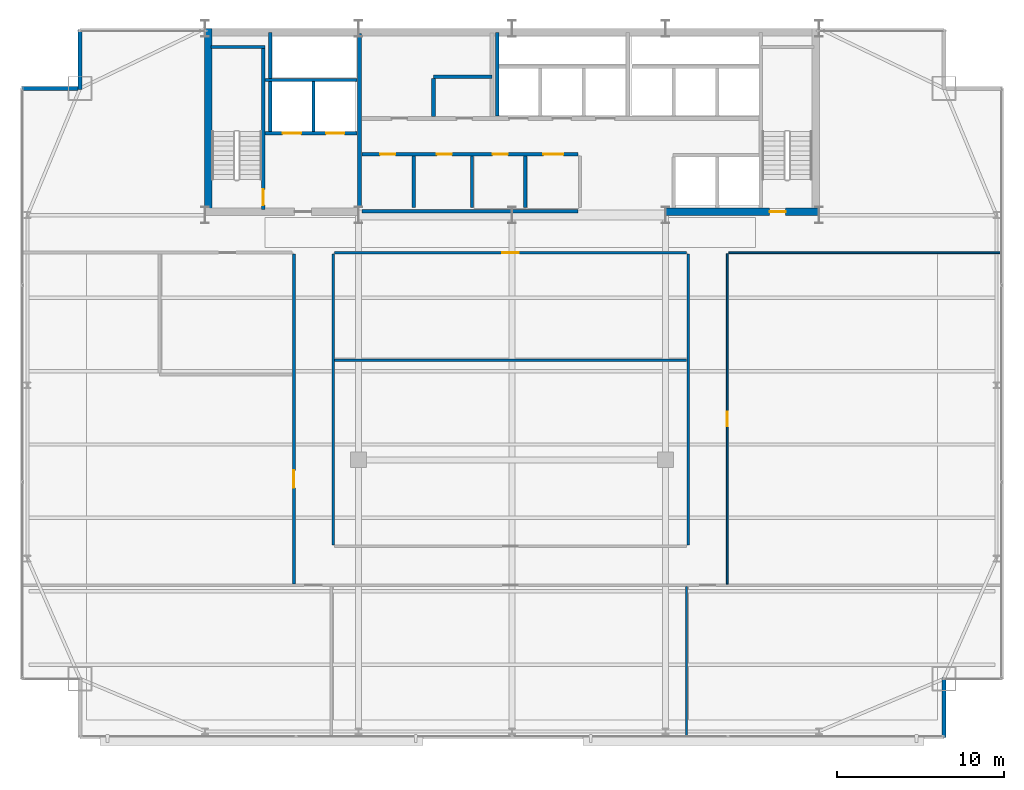
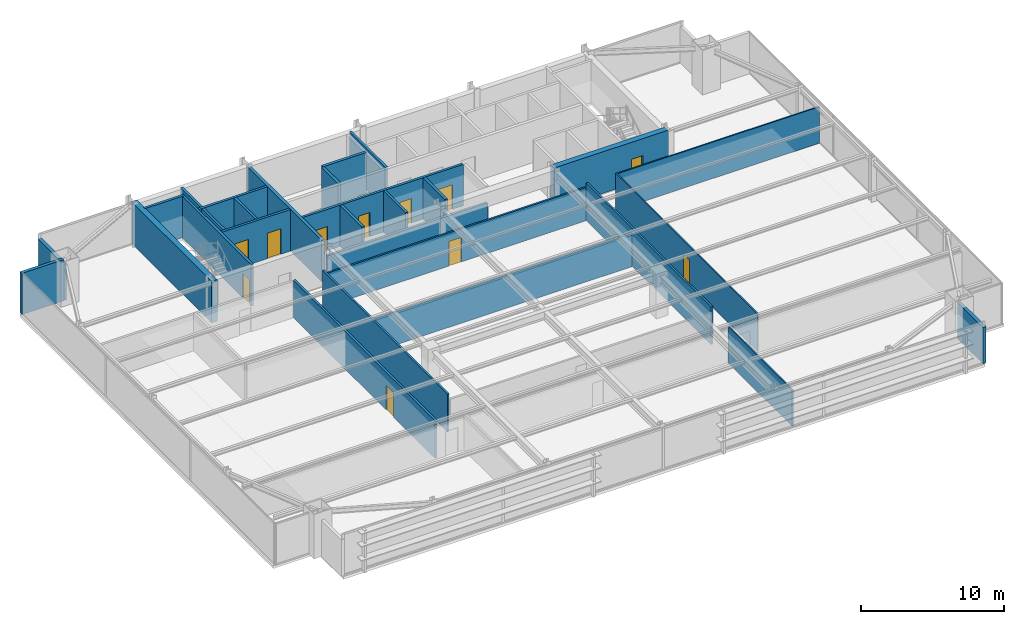
# One storey, part 27 of 30: 28 walls, 11 doors, 11 openings.
"""IFC4 building model written with IfcOpenShell, lengths in metres."""

import ifcopenshell
import ifcopenshell.guid

model = None  # the IFC model being written
_history = None  # IfcOwnerHistory: only IFC2X3 demands one
_inside = {}  # id of a spatial element -> (the spatial element, [elements in it])
_under = {}  # id of a project, library or spatial element -> (it, [spatial elements below it])
_declared = {}  # id of a project -> (the project, [libraries it declares])
_typed = {}  # id of a type object -> (the type object, [elements of that type])
_made_of = {}  # id of a material, layer set ... -> (it, [elements and type objects made of it])


def new_model(schema):
    """Start an empty IFC model of exactly this schema.

    Asked for "IFC4X3", IfcOpenShell would pick the latest addendum, in which some entities
    have other attributes; the version numbers below select the first issue.
    IFC2X3 requires an IfcOwnerHistory on every rooted entity: one is made here for all.
    """
    global model, _history
    if schema == "IFC4X3":
        model = ifcopenshell.file(schema_version=(4, 3, 0, 0))
    else:
        model = ifcopenshell.file(schema=schema)
    _inside.clear()
    _under.clear()
    _declared.clear()
    _typed.clear()
    _made_of.clear()
    _history = None
    if model.schema == "IFC2X3":
        org = make("IfcOrganization", Name="unknown")
        user = make(
            "IfcPersonAndOrganization",
            ThePerson=make("IfcPerson", FamilyName="unknown"),
            TheOrganization=org,
        )
        app = make(
            "IfcApplication",
            ApplicationDeveloper=org,
            Version="unknown",
            ApplicationFullName="unknown",
            ApplicationIdentifier="unknown",
        )
        _history = make(
            "IfcOwnerHistory",
            OwningUser=user,
            OwningApplication=app,
            ChangeAction="ADDED",
            CreationDate=0,
        )
    return model


def make(cls, **values):
    """One entity of the class cls with the attributes given. An attribute that is None is left unset."""
    return model.create_entity(
        cls, **{name: value for name, value in values.items() if value is not None}
    )


def rooted(cls, **values):
    """An entity with a GlobalId (a new one), such as an element, a storey or a relation."""
    return make(cls, GlobalId=ifcopenshell.guid.new(), OwnerHistory=_history, **values)


def si_unit(unit_type, name, prefix=None):
    """IfcSIUnit, for example si_unit("LENGTHUNIT", "METRE", prefix="MILLI")."""
    return make("IfcSIUnit", UnitType=unit_type, Prefix=prefix, Name=name)


def assignment(units):
    """IfcUnitAssignment: the units of a project."""
    return None if units is None else make("IfcUnitAssignment", Units=units)


def point(xyz):
    """IfcCartesianPoint."""
    return None if xyz is None else make("IfcCartesianPoint", Coordinates=xyz)


def direction(xyz):
    """IfcDirection."""
    return None if xyz is None else make("IfcDirection", DirectionRatios=xyz)


def frame(location, z_axis=None, x_axis=None):
    """IfcAxis2Placement3D, a coordinate frame: its origin and axes. An axis left out is left unset."""
    return make(
        "IfcAxis2Placement3D",
        Location=point(location),
        Axis=direction(z_axis),
        RefDirection=direction(x_axis),
    )


def frame_2d(location, x_axis=None):
    """IfcAxis2Placement2D, a coordinate frame in the plane: its origin and x axis."""
    return make(
        "IfcAxis2Placement2D", Location=point(location), RefDirection=direction(x_axis)
    )


def origin():
    """The frame at (0, 0, 0) with its axes left unset."""
    return frame((0.0, 0.0, 0.0))


def place(relative_to, where):
    """IfcLocalPlacement: puts the frame where relative to a parent placement (None: the world)."""
    return make(
        "IfcLocalPlacement", PlacementRelTo=relative_to, RelativePlacement=where
    )


def context(
    kind, dimensions, precision=None, world=None, true_north=None, identifier=None
):
    """IfcGeometricRepresentationContext, for example the 3D "Model" context."""
    return make(
        "IfcGeometricRepresentationContext",
        ContextIdentifier=identifier,
        ContextType=kind,
        CoordinateSpaceDimension=dimensions,
        Precision=precision,
        WorldCoordinateSystem=world,
        TrueNorth=true_north,
    )


def subcontext(parent, identifier, kind, view, scale=None):
    """IfcGeometricRepresentationSubContext, for example "Body" below "Model"."""
    return make(
        "IfcGeometricRepresentationSubContext",
        ContextIdentifier=identifier,
        ContextType=kind,
        ParentContext=parent,
        TargetScale=scale,
        TargetView=view,
    )


def project(units=None, contexts=None):
    """IfcProject with its units and contexts."""
    return rooted(
        "IfcProject",
        Name="project",
        RepresentationContexts=contexts,
        UnitsInContext=assignment(units),
    )


def spatial(cls, under=None, at=None, **own):
    """A site, building, storey or space (cls), placed at a placement, below another one or the project."""
    s = rooted(cls, ObjectPlacement=at, **own)
    if under is not None:
        _under.setdefault(under.id(), (under, []))[1].append(s)
    return s


def profile(cls, at=None, kind="AREA", **sizes):
    """A parametric profile (cls). Its sizes go by their IFC names, for example OverallWidth=200.0."""
    return make(cls, ProfileType=kind, Position=at, **sizes)


def rectangle(**sizes):
    """IfcRectangleProfileDef."""
    return profile("IfcRectangleProfileDef", **sizes)


def extrude(swept, where, along, depth):
    """IfcExtrudedAreaSolid: the profile swept, set in the frame where, extruded along a direction by depth."""
    return make(
        "IfcExtrudedAreaSolid",
        SweptArea=swept,
        Position=where,
        ExtrudedDirection=direction(along),
        Depth=depth,
    )


def shape(context_of_items, identifier, shape_type, items):
    """IfcShapeRepresentation: the items that make up one representation, for example the "Body"."""
    return make(
        "IfcShapeRepresentation",
        ContextOfItems=context_of_items,
        RepresentationIdentifier=identifier,
        RepresentationType=shape_type,
        Items=items,
    )


def source(mapping_origin, context_of_items, identifier, shape_type, items):
    """IfcRepresentationMap: a shape defined once, which mapped items show again and again."""
    return make(
        "IfcRepresentationMap",
        MappingOrigin=mapping_origin,
        MappedRepresentation=shape(context_of_items, identifier, shape_type, items),
    )


def transform(
    local_origin,
    x_axis=None,
    y_axis=None,
    z_axis=None,
    scale=None,
    scale2=None,
    scale3=None,
    uniform=True,
):
    """IfcCartesianTransformationOperator3D, or its non-uniform kind. x_axis, y_axis, z_axis: its Axis1, 2, 3."""
    if uniform:
        return make(
            "IfcCartesianTransformationOperator3D",
            Axis1=direction(x_axis),
            Axis2=direction(y_axis),
            LocalOrigin=point(local_origin),
            Scale=scale,
            Axis3=direction(z_axis),
        )
    return make(
        "IfcCartesianTransformationOperator3DnonUniform",
        Axis1=direction(x_axis),
        Axis2=direction(y_axis),
        LocalOrigin=point(local_origin),
        Scale=scale,
        Axis3=direction(z_axis),
        Scale2=scale2,
        Scale3=scale3,
    )


def mapped(mapping_source, mapping_target):
    """IfcMappedItem: shows the shape of a source again, moved by a transform."""
    return make(
        "IfcMappedItem", MappingSource=mapping_source, MappingTarget=mapping_target
    )


def material(Name=None, Category=None):
    """IfcMaterial."""
    return make("IfcMaterial", Name=Name, Category=Category)


def layer(
    of_material, thickness, ventilated=None, Name=None, Category=None, Priority=None
):
    """IfcMaterialLayer: one layer of a wall or slab, of a material (None: an air gap)."""
    return make(
        "IfcMaterialLayer",
        Material=of_material,
        LayerThickness=thickness,
        IsVentilated=ventilated,
        Name=Name,
        Category=Category,
        Priority=Priority,
    )


def layer_set(layers, Name=None):
    """IfcMaterialLayerSet."""
    return make("IfcMaterialLayerSet", MaterialLayers=layers, LayerSetName=Name)


def made_of(thing, what):
    """Note that an element or type object is made of a material, layer set ...; save() writes the relation."""
    if what is not None:
        _made_of.setdefault(what.id(), (what, []))[1].append(thing)
    return thing


def type_object(cls, material=None, **own):
    """A type object (cls), such as IfcWallType, which elements share."""
    return made_of(rooted(cls, **own), material)


def type_shapes(of_type, sources):
    """Give a type object the sources (RepresentationMaps) that its elements show as mapped items."""
    of_type.RepresentationMaps = sources


def element(
    cls,
    number,
    at=None,
    inside=None,
    cuts=None,
    type_object=None,
    material=None,
    context=None,
    identifier="Body",
    shape_type=None,
    held_by="IfcProductDefinitionShape",
    body=None,
    shapes=None,
    **own,
):
    """One element of the class cls, such as IfcWall. Its Tag is "e" and its number.

    at: its placement. inside: the storey or other place that contains it. cuts: it is an
    opening in that element (IfcRelVoidsElement). A single representation is given by context,
    identifier, shape_type and body (its items); several are given by shapes. held_by: the class
    of the entity that holds the representations. save() writes the other relations.
    """
    e = rooted(cls, Tag="e%d" % number, ObjectPlacement=at, **own)
    if body is not None:
        shapes = [shape(context, identifier, shape_type, body)]
    if shapes is not None:
        e.Representation = make(held_by, Representations=shapes)
    if inside is not None:
        _inside.setdefault(inside.id(), (inside, []))[1].append(e)
    if cuts is not None:
        rooted(
            "IfcRelVoidsElement", RelatingBuildingElement=cuts, RelatedOpeningElement=e
        )
    if type_object is not None:
        _typed.setdefault(type_object.id(), (type_object, []))[1].append(e)
    return made_of(e, material)


def fill(opening, filler):
    """IfcRelFillsElement: the door or window that sits in an opening."""
    return rooted(
        "IfcRelFillsElement",
        RelatingOpeningElement=opening,
        RelatedBuildingElement=filler,
    )


def aggregate(whole, parts):
    """IfcRelAggregates: a whole, such as a stair, and the parts it consists of."""
    return rooted("IfcRelAggregates", RelatingObject=whole, RelatedObjects=parts)


def save(model, path):
    """Write the relations noted so far, then the file.

    IfcRelAggregates (storeys below a building ...), IfcRelContainedInSpatialStructure (elements
    in a storey), IfcRelDefinesByType, IfcRelAssociatesMaterial and IfcRelDeclares: one each for
    every whole, place, type object, material and project.
    """
    for whole, parts in _under.values():
        aggregate(whole, parts)
    for where, things in _inside.values():
        rooted(
            "IfcRelContainedInSpatialStructure",
            RelatedElements=things,
            RelatingStructure=where,
        )
    for kind, things in _typed.values():
        rooted("IfcRelDefinesByType", RelatedObjects=things, RelatingType=kind)
    for what, things in _made_of.values():
        rooted("IfcRelAssociatesMaterial", RelatedObjects=things, RelatingMaterial=what)
    for by, libraries in _declared.values():
        rooted("IfcRelDeclares", RelatingContext=by, RelatedDefinitions=libraries)
    model.write(path)


model = new_model("IFC4")

# Units and contexts
model_context = context("Model", 3, precision=1e-05, world=origin(), true_north=direction((0.0, 1.0)))
body_context = subcontext(model_context, "Body", "Model", "MODEL_VIEW")
ifc_project = project(units=[si_unit("LENGTHUNIT", "METRE"), si_unit("AREAUNIT", "SQUARE_METRE"), si_unit("VOLUMEUNIT", "CUBIC_METRE"), si_unit("PLANEANGLEUNIT", "RADIAN"), si_unit("MASSUNIT", "GRAM", prefix="KILO")], contexts=[model_context])

# Site, building, storey
site_placement = place(None, origin())
site = spatial("IfcSite", under=ifc_project, at=site_placement, CompositionType="ELEMENT")
building_placement = place(site_placement, origin())
building = spatial("IfcBuilding", under=site, at=building_placement, Name="Varnel Quay Broadcast Tower", CompositionType="ELEMENT")
storey_placement = place(building_placement, frame((0.0, 0.0, 122.0)))
storey = spatial("IfcBuildingStorey", under=building, at=storey_placement, Name="L29", CompositionType="ELEMENT", Elevation=122.0)

# Wall, opening, door
ifc_material_1 = material(Name="Concrete CSA A23.3 C50/60", Category="concrete")
ifc_layer_1 = layer(ifc_material_1, 0.199951171875, Name="Concrete CSA A23.3 C50/60")
ifc_layer_set_1 = layer_set([ifc_layer_1], Name="Concrete CSA A23.3 C50/60")
wall_type_1 = type_object("IfcWallType", Name="Wall_CoreShaftShear200", PredefinedType="SHEAR", material=ifc_layer_set_1)
wall_1_placement = place(storey_placement, frame((19.080078125, 35.949951171875, 0.0), z_axis=(0.0, 0.0, 1.0), x_axis=(0.0, 1.0, 0.0)))
wall_1 = element("IfcWall", 1, at=wall_1_placement, inside=storey, type_object=wall_type_1, Name="L29 Stair 1 East Structural Wall", PredefinedType="SHEAR", context=body_context, shape_type="SweptSolid", body=[
    extrude(rectangle(XDim=9.650146484375, YDim=0.199951171875, at=frame_2d((4.8251953125, 0.0))), origin(), (0.0, 0.0, 1.0), 3.550048828125),
])
opening_1_placement = place(wall_1_placement, frame((0.25, 0.0, 0.0)))
opening_1 = element("IfcOpeningElement", 2, at=opening_1_placement, cuts=wall_1, Name="Opening D-L29-S1", PredefinedType="OPENING", context=body_context, shape_type="SweptSolid", body=[
    extrude(rectangle(XDim=0.949951171875, YDim=2.10009765625, at=frame_2d((0.47509765625, 1.050048828125))), frame((0.0, 0.10986328125, 0.0), z_axis=(0.0, -1.0, 0.0), x_axis=(1.0, 0.0, 0.0)), (0.0, 0.0, 1.0), 0.219970703125),
])
ifc_material_2 = material(Name="Insulated Fire-Rated Hollow Steel Door", Category="steel")
door_type_1 = type_object("IfcDoorType", Name="Door_FireStair950", OperationType="NOTDEFINED", PredefinedType="DOOR", material=ifc_material_2)
shared_shape_1 = source(origin(), body_context, "Body", "SweptSolid", [
    extrude(rectangle(XDim=0.949951171875, YDim=2.10009765625, at=frame_2d((0.47509765625, 1.050048828125))), frame((0.0, 0.02490234375, 0.0), z_axis=(0.0, -1.0, 0.0), x_axis=(1.0, 0.0, 0.0)), (0.0, 0.0, 1.0), 0.050048828125),
])
type_shapes(door_type_1, [shared_shape_1])
door_1_placement = place(opening_1_placement, origin())
door_1 = element("IfcDoor", 3, at=door_1_placement, inside=storey, type_object=door_type_1, Name="L29 Stair 1 Fire Door", OperationType="SINGLE_SWING_LEFT", OverallHeight=2.10009765625, OverallWidth=0.949951171875, PredefinedType="DOOR", context=body_context, shape_type="MappedRepresentation", body=[
    mapped(shared_shape_1, transform((0.0, 0.0, 0.0), x_axis=(1.0, 0.0, 0.0), y_axis=(0.0, 1.0, 0.0), z_axis=(0.0, 0.0, 1.0), scale=1.0)),
])
fill(opening_1, door_1)

# Wall
wall_2_placement = place(storey_placement, frame((15.949951171875, 45.679931640625, 0.0), z_axis=(0.0, 0.0, 1.0), x_axis=(1.0, 0.0, 0.0)))
element("IfcWall", 4, at=wall_2_placement, inside=storey, type_object=wall_type_1, Name="L29 Stair 1 North Structural Wall", PredefinedType="SHEAR", context=body_context, shape_type="SweptSolid", body=[
    extrude(rectangle(XDim=3.22998046875, YDim=0.199951171875, at=frame_2d((1.614990234375, 0.0))), origin(), (0.0, 0.0, 1.0), 3.550048828125),
])

# Wall, openings, doors
wall_3_placement = place(storey_placement, frame((19.199951171875, 40.5, 0.0), z_axis=(0.0, 0.0, 1.0), x_axis=(1.0, 0.0, 0.0)))
wall_3 = element("IfcWall", 5, at=wall_3_placement, inside=storey, type_object=wall_type_1, Name="L29 Firefighter Lift Shaft Front Wall", PredefinedType="SHEAR", context=body_context, shape_type="SweptSolid", body=[
    extrude(rectangle(XDim=5.52001953125, YDim=0.199951171875, at=frame_2d((2.760009765625, 0.0))), origin(), (0.0, 0.0, 1.0), 3.550048828125),
])
opening_2_placement = place(wall_3_placement, frame((1.050048828125, 0.0, 0.0)))
opening_2 = element("IfcOpeningElement", 6, at=opening_2_placement, cuts=wall_3, Name="Opening LD-L29-FE1", PredefinedType="OPENING", context=body_context, shape_type="SweptSolid", body=[
    extrude(rectangle(XDim=1.10009765625, YDim=2.179931640625, at=frame_2d((0.550048828125, 1.08984375))), frame((0.0, 0.10986328125, 0.0), z_axis=(0.0, -1.0, 0.0), x_axis=(1.0, 0.0, 0.0)), (0.0, 0.0, 1.0), 0.219970703125),
])
opening_3_placement = place(wall_3_placement, frame((3.64990234375, 0.0, 0.0)))
opening_3 = element("IfcOpeningElement", 7, at=opening_3_placement, cuts=wall_3, Name="Opening LD-L29-FE2", PredefinedType="OPENING", context=body_context, shape_type="SweptSolid", body=[
    extrude(rectangle(XDim=1.10009765625, YDim=2.179931640625, at=frame_2d((0.550048828125, 1.08984375))), frame((0.0, 0.10986328125, 0.0), z_axis=(0.0, -1.0, 0.0), x_axis=(1.0, 0.0, 0.0)), (0.0, 0.0, 1.0), 0.219970703125),
])
ifc_material_3 = material(Name="Brushed Bronze-Stainless Lift Car & Sliding Doors", Category="steel")
door_type_2 = type_object("IfcDoorType", Name="Door_LiftLanding1100", OperationType="SLIDING_TO_LEFT", PredefinedType="DOOR", material=ifc_material_3)
shared_shape_2 = source(origin(), body_context, "Body", "SweptSolid", [
    extrude(rectangle(XDim=1.10009765625, YDim=2.179931640625, at=frame_2d((0.550048828125, 1.08984375))), frame((0.0, 0.02490234375, 0.0), z_axis=(0.0, -1.0, 0.0), x_axis=(1.0, 0.0, 0.0)), (0.0, 0.0, 1.0), 0.050048828125),
])
type_shapes(door_type_2, [shared_shape_2])
door_2_placement = place(opening_2_placement, frame((1.10009765625, 0.0, 0.0), z_axis=(0.0, 0.0, 1.0), x_axis=(-1.0, 0.0, 0.0)))
door_2 = element("IfcDoor", 8, at=door_2_placement, inside=storey, type_object=door_type_2, Name="L29 Firefighter Lift FE-01 Landing Door", OperationType="SLIDING_TO_LEFT", OverallHeight=2.179931640625, OverallWidth=1.10009765625, PredefinedType="DOOR", context=body_context, shape_type="MappedRepresentation", body=[
    mapped(shared_shape_2, transform((0.0, 0.0, 0.0), x_axis=(1.0, 0.0, 0.0), y_axis=(0.0, 1.0, 0.0), z_axis=(0.0, 0.0, 1.0), scale=1.0)),
])
fill(opening_2, door_2)
door_3_placement = place(opening_3_placement, frame((1.10009765625, 0.0, 0.0), z_axis=(0.0, 0.0, 1.0), x_axis=(-1.0, 0.0, 0.0)))
door_3 = element("IfcDoor", 9, at=door_3_placement, inside=storey, type_object=door_type_2, Name="L29 Firefighter Lift FE-02 Landing Door", OperationType="SLIDING_TO_RIGHT", OverallHeight=2.179931640625, OverallWidth=1.10009765625, PredefinedType="DOOR", context=body_context, shape_type="MappedRepresentation", body=[
    mapped(shared_shape_2, transform((0.0, 0.0, 0.0), x_axis=(1.0, 0.0, 0.0), y_axis=(0.0, 1.0, 0.0), z_axis=(0.0, 0.0, 1.0), scale=1.0)),
])
fill(opening_3, door_3)

# Walls
wall_4_placement = place(storey_placement, frame((19.199951171875, 43.699951171875, 0.0), z_axis=(0.0, 0.0, 1.0), x_axis=(1.0, 0.0, 0.0)))
element("IfcWall", 10, at=wall_4_placement, inside=storey, type_object=wall_type_1, Name="L29 Firefighter Lift Shaft Rear Wall", PredefinedType="SHEAR", context=body_context, shape_type="SweptSolid", body=[
    extrude(rectangle(XDim=5.52001953125, YDim=0.199951171875, at=frame_2d((2.760009765625, 0.0))), origin(), (0.0, 0.0, 1.0), 3.550048828125),
])
wall_5_placement = place(storey_placement, frame((22.10009765625, 40.60009765625, 0.0), z_axis=(0.0, 0.0, 1.0), x_axis=(0.0, 1.0, 0.0)))
element("IfcWall", 11, at=wall_5_placement, inside=storey, type_object=wall_type_1, Name="L29 Firefighter Lift Shaft Divider", PredefinedType="SHEAR", context=body_context, shape_type="SweptSolid", body=[
    extrude(rectangle(XDim=3.0, YDim=0.199951171875, at=frame_2d((1.5, 0.0))), origin(), (0.0, 0.0, 1.0), 3.550048828125),
])
wall_6_placement = place(storey_placement, frame((19.5, 40.60009765625, 0.0), z_axis=(0.0, 0.0, 1.0), x_axis=(0.0, 1.0, 0.0)))
element("IfcWall", 12, at=wall_6_placement, inside=storey, type_object=wall_type_1, Name="L29 Firefighter Lift Shaft West Wall", PredefinedType="SHEAR", context=body_context, shape_type="SweptSolid", body=[
    extrude(rectangle(XDim=5.949951171875, YDim=0.199951171875, at=frame_2d((2.97509765625, 0.0))), origin(), (0.0, 0.0, 1.0), 3.550048828125),
])
wall_7_placement = place(storey_placement, frame((33.1201171875, 41.530029296875, 0.0), z_axis=(0.0, 0.0, 1.0), x_axis=(0.0, 1.0, 0.0)))
element("IfcWall", 13, at=wall_7_placement, inside=storey, type_object=wall_type_1, Name="L29 Mid-Rise Lift Shaft Divider 1", PredefinedType="SHEAR", context=body_context, shape_type="SweptSolid", body=[
    extrude(rectangle(XDim=5.02001953125, YDim=0.199951171875, at=frame_2d((2.510009765625, 0.0))), origin(), (0.0, 0.0, 1.0), 3.550048828125),
])
ifc_layer_2 = layer(ifc_material_1, 0.25, Name="Concrete CSA A23.3 C50/60")
ifc_layer_set_2 = layer_set([ifc_layer_2], Name="Concrete CSA A23.3 C50/60")
wall_type_2 = type_object("IfcWallType", Name="Wall_CoreShaftShear250", PredefinedType="SHEAR", material=ifc_layer_set_2)
wall_8_placement = place(storey_placement, frame((24.85009765625, 36.050048828125, 0.0), z_axis=(0.0, 0.0, 1.0), x_axis=(0.0, 1.0, 0.0)))
element("IfcWall", 14, at=wall_8_placement, inside=storey, type_object=wall_type_2, Name="L29 Firefighting Lobby East Structural Wall", PredefinedType="SHEAR", context=body_context, shape_type="SweptSolid", body=[
    extrude(rectangle(XDim=10.449951171875, YDim=0.25, at=frame_2d((5.22509765625, 0.0))), origin(), (0.0, 0.0, 1.0), 3.550048828125),
])
ifc_material_4 = material(Name="Concrete CSA A23.3 C60/75", Category="concrete")
ifc_layer_3 = layer(ifc_material_4, 0.449951171875, Name="Concrete CSA A23.3 C60/75")
ifc_layer_set_3 = layer_set([ifc_layer_3], Name="Concrete CSA A23.3 C60/75")
wall_type_3 = type_object("IfcWallType", Name="Wall_CoreShearInt450", PredefinedType="SHEAR", material=ifc_layer_set_3)
wall_9_placement = place(storey_placement, frame((15.794921875, 35.570068359375, 0.0), z_axis=(0.0, 0.0, 1.0), x_axis=(0.0, 1.0, 0.0)))
element("IfcWall", 15, at=wall_9_placement, inside=storey, type_object=wall_type_3, Name="L29 West Core Shear Wall", PredefinedType="SHEAR", context=body_context, shape_type="SweptSolid", body=[
    extrude(rectangle(XDim=11.22998046875, YDim=0.449951171875, at=frame_2d((5.614990234375, 0.0))), origin(), (0.0, 0.0, 1.0), 3.550048828125),
])

# Wall, opening, door
wall_10_placement = place(storey_placement, frame((43.199951171875, 35.794921875, 0.0), z_axis=(0.0, 0.0, 1.0), x_axis=(1.0, 0.0, 0.0)))
wall_10 = element("IfcWall", 16, at=wall_10_placement, inside=storey, type_object=wall_type_3, Name="L29 South-East Core Shear Wall", PredefinedType="SHEAR", context=body_context, shape_type="SweptSolid", body=[
    extrude(rectangle(XDim=9.22998046875, YDim=0.449951171875, at=frame_2d((4.614990234375, 0.0))), origin(), (0.0, 0.0, 1.0), 3.550048828125),
])
opening_4_placement = place(wall_10_placement, frame((6.25, 0.0, 0.0)))
opening_4 = element("IfcOpeningElement", 17, at=opening_4_placement, cuts=wall_10, Name="Opening D-L29-S2", PredefinedType="OPENING", context=body_context, shape_type="SweptSolid", body=[
    extrude(rectangle(XDim=0.949951171875, YDim=2.10009765625, at=frame_2d((0.47509765625, 1.050048828125))), frame((0.0, 0.23486328125, 0.0), z_axis=(0.0, -1.0, 0.0), x_axis=(1.0, 0.0, 0.0)), (0.0, 0.0, 1.0), 0.469970703125),
])
door_4_placement = place(opening_4_placement, origin())
door_4 = element("IfcDoor", 18, at=door_4_placement, inside=storey, type_object=door_type_1, Name="L29 Stair 2 Fire Door", OperationType="SINGLE_SWING_LEFT", OverallHeight=2.10009765625, OverallWidth=0.949951171875, PredefinedType="DOOR", context=body_context, shape_type="MappedRepresentation", body=[
    mapped(shared_shape_1, transform((0.0, 0.0, 0.0), x_axis=(1.0, 0.0, 0.0), y_axis=(0.0, 1.0, 0.0), z_axis=(0.0, 0.0, 1.0), scale=1.0)),
])
fill(opening_4, door_4)

# Walls
ifc_material_5 = material(Name="Precast Architectural Concrete C40/50", Category="concrete")
ifc_layer_4 = layer(ifc_material_5, 0.25, Name="Precast Architectural Concrete C40/50")
ifc_layer_set_4 = layer_set([ifc_layer_4], Name="Precast Architectural Concrete C40/50")
wall_type_4 = type_object("IfcWallType", Name="Wall_ExtTerrace250", PredefinedType="SOLIDWALL", material=ifc_layer_set_4)
wall_11_placement = place(storey_placement, frame((59.89990234375, 4.280029296875, 0.0), z_axis=(0.0, 0.0, 1.0), x_axis=(0.0, 1.0, 0.0)))
element("IfcWall", 19, at=wall_11_placement, inside=storey, type_object=wall_type_4, Name="L29 Mega-Column Notch Cladding Wall NSE2", PredefinedType="SOLIDWALL", context=body_context, shape_type="SweptSolid", body=[
    extrude(rectangle(XDim=3.599853515625, YDim=0.25, at=frame_2d((1.7998046875, 0.0))), origin(), (0.0, 0.0, 1.0), 3.10791015625),
])
wall_12_placement = place(storey_placement, frame((4.580078125, 43.199951171875, 0.0), z_axis=(0.0, 0.0, 1.0), x_axis=(1.0, 0.0, 0.0)))
element("IfcWall", 20, at=wall_12_placement, inside=storey, type_object=wall_type_4, Name="L29 Mega-Column Notch Cladding Wall NNW1", PredefinedType="SOLIDWALL", context=body_context, shape_type="SweptSolid", body=[
    extrude(rectangle(XDim=3.389892578125, YDim=0.25, at=frame_2d((1.69482421875, 0.0))), origin(), (0.0, 0.0, 1.0), 3.530029296875),
])
wall_13_placement = place(storey_placement, frame((8.10009765625, 43.1201171875, 0.0), z_axis=(0.0, 0.0, 1.0), x_axis=(0.0, 1.0, 0.0)))
element("IfcWall", 21, at=wall_13_placement, inside=storey, type_object=wall_type_4, Name="L29 Mega-Column Notch Cladding Wall NNW2", PredefinedType="SOLIDWALL", context=body_context, shape_type="SweptSolid", body=[
    extrude(rectangle(XDim=3.599853515625, YDim=0.25, at=frame_2d((1.7998046875, 0.0))), origin(), (0.0, 0.0, 1.0), 3.10791015625),
])
ifc_material_6 = material(Name="Concrete Blockwork Fire Enclosure C40/50", Category="masonry")
ifc_layer_5 = layer(ifc_material_6, 0.199951171875, Name="Concrete Blockwork Fire Enclosure C40/50")
ifc_layer_set_5 = layer_set([ifc_layer_5], Name="Concrete Blockwork Fire Enclosure C40/50")
wall_type_5 = type_object("IfcWallType", Name="Wall_FireShaft200", PredefinedType="SOLIDWALL", material=ifc_layer_set_5)
wall_14_placement = place(storey_placement, frame((25.0, 35.824951171875, 0.0), z_axis=(0.0, 0.0, 1.0), x_axis=(1.0, 0.0, 0.0)))
element("IfcWall", 22, at=wall_14_placement, inside=storey, type_object=wall_type_5, Name="L29 Accessible Universal Washroom Partition 1", PredefinedType="SOLIDWALL", context=body_context, shape_type="SweptSolid", body=[
    extrude(rectangle(XDim=12.949951171875, YDim=0.199951171875, at=frame_2d((6.47509765625, 0.0))), origin(), (0.0, 0.0, 1.0), 2.324951171875),
])

# Wall, openings, doors
wall_15_placement = place(storey_placement, frame((25.0, 39.25, 0.0), z_axis=(0.0, 0.0, 1.0), x_axis=(1.0, 0.0, 0.0)))
wall_15 = element("IfcWall", 23, at=wall_15_placement, inside=storey, type_object=wall_type_5, Name="L29 Accessible Universal Washroom Partition 3", PredefinedType="SOLIDWALL", context=body_context, shape_type="SweptSolid", body=[
    extrude(rectangle(XDim=12.949951171875, YDim=0.199951171875, at=frame_2d((6.47509765625, 0.0))), origin(), (0.0, 0.0, 1.0), 3.530029296875),
])
opening_5_placement = place(wall_15_placement, frame((1.10009765625, 0.0, 0.0)))
opening_5 = element("IfcOpeningElement", 24, at=opening_5_placement, cuts=wall_15, Name="Opening D-L29-01", PredefinedType="OPENING", context=body_context, shape_type="SweptSolid", body=[
    extrude(rectangle(XDim=0.89990234375, YDim=2.06005859375, at=frame_2d((0.449951171875, 1.030029296875))), frame((0.0, 0.10986328125, 0.0), z_axis=(0.0, -1.0, 0.0), x_axis=(1.0, 0.0, 0.0)), (0.0, 0.0, 1.0), 0.219970703125),
])
opening_6_placement = place(wall_15_placement, frame((4.5, 0.0, 0.0)))
opening_6 = element("IfcOpeningElement", 25, at=opening_6_placement, cuts=wall_15, Name="Opening D-L29-02", PredefinedType="OPENING", context=body_context, shape_type="SweptSolid", body=[
    extrude(rectangle(XDim=0.89990234375, YDim=2.06005859375, at=frame_2d((0.449951171875, 1.030029296875))), frame((0.0, 0.10986328125, 0.0), z_axis=(0.0, -1.0, 0.0), x_axis=(1.0, 0.0, 0.0)), (0.0, 0.0, 1.0), 0.219970703125),
])
opening_7_placement = place(wall_15_placement, frame((7.840087890625, 0.0, 0.0)))
opening_7 = element("IfcOpeningElement", 26, at=opening_7_placement, cuts=wall_15, Name="Opening D-L29-03", PredefinedType="OPENING", context=body_context, shape_type="SweptSolid", body=[
    extrude(rectangle(XDim=0.919921875, YDim=2.080078125, at=frame_2d((0.4599609375, 1.0400390625))), frame((0.0, 0.10986328125, 0.0), z_axis=(0.0, -1.0, 0.0), x_axis=(1.0, 0.0, 0.0)), (0.0, 0.0, 1.0), 0.219970703125),
])
opening_8_placement = place(wall_15_placement, frame((10.875, 0.0, 0.0)))
opening_8 = element("IfcOpeningElement", 27, at=opening_8_placement, cuts=wall_15, Name="Opening D-L29-04", PredefinedType="OPENING", context=body_context, shape_type="SweptSolid", body=[
    extrude(rectangle(XDim=1.199951171875, YDim=2.10009765625, at=frame_2d((0.60009765625, 1.050048828125))), frame((0.0, 0.10986328125, 0.0), z_axis=(0.0, -1.0, 0.0), x_axis=(1.0, 0.0, 0.0)), (0.0, 0.0, 1.0), 0.219970703125),
])
ifc_material_7 = material(Name="Solid-Core Fire-Rated Acoustic Oak Veneer Door", Category="wood")
door_type_3 = type_object("IfcDoorType", Name="Door_Washroom900", OperationType="NOTDEFINED", PredefinedType="DOOR", material=ifc_material_7)
shared_shape_3 = source(origin(), body_context, "Body", "SweptSolid", [
    extrude(rectangle(XDim=0.89990234375, YDim=2.06005859375, at=frame_2d((0.449951171875, 1.030029296875))), frame((0.0, 0.02490234375, 0.0), z_axis=(0.0, -1.0, 0.0), x_axis=(1.0, 0.0, 0.0)), (0.0, 0.0, 1.0), 0.050048828125),
])
type_shapes(door_type_3, [shared_shape_3])
door_5_placement = place(opening_5_placement, frame((0.89990234375, 0.0, 0.0), z_axis=(0.0, 0.0, 1.0), x_axis=(-1.0, 0.0, 0.0)))
door_5 = element("IfcDoor", 28, at=door_5_placement, inside=storey, type_object=door_type_3, Name="L29 Accessible Universal Washroom Door D-L29-01", OperationType="SINGLE_SWING_RIGHT", OverallHeight=2.06005859375, OverallWidth=0.89990234375, PredefinedType="DOOR", context=body_context, shape_type="MappedRepresentation", body=[
    mapped(shared_shape_3, transform((0.0, 0.0, 0.0), x_axis=(1.0, 0.0, 0.0), y_axis=(0.0, 1.0, 0.0), z_axis=(0.0, 0.0, 1.0), scale=1.0)),
])
fill(opening_5, door_5)
door_6_placement = place(opening_6_placement, frame((0.89990234375, 0.0, 0.0), z_axis=(0.0, 0.0, 1.0), x_axis=(-1.0, 0.0, 0.0)))
door_6 = element("IfcDoor", 29, at=door_6_placement, inside=storey, type_object=door_type_3, Name="L29 Staff Washroom Block Door D-L29-02", OperationType="SINGLE_SWING_LEFT", OverallHeight=2.06005859375, OverallWidth=0.89990234375, PredefinedType="DOOR", context=body_context, shape_type="MappedRepresentation", body=[
    mapped(shared_shape_3, transform((0.0, 0.0, 0.0), x_axis=(1.0, 0.0, 0.0), y_axis=(0.0, 1.0, 0.0), z_axis=(0.0, 0.0, 1.0), scale=1.0)),
])
fill(opening_6, door_6)
door_type_4 = type_object("IfcDoorType", Name="Door_Plant1200", OperationType="NOTDEFINED", PredefinedType="DOOR", material=ifc_material_2)
shared_shape_4 = source(origin(), body_context, "Body", "SweptSolid", [
    extrude(rectangle(XDim=1.199951171875, YDim=2.10009765625, at=frame_2d((0.60009765625, 1.050048828125))), frame((0.0, 0.02490234375, 0.0), z_axis=(0.0, -1.0, 0.0), x_axis=(1.0, 0.0, 0.0)), (0.0, 0.0, 1.0), 0.050048828125),
])
type_shapes(door_type_4, [shared_shape_4])
door_7_placement = place(opening_8_placement, origin())
door_7 = element("IfcDoor", 30, at=door_7_placement, inside=storey, type_object=door_type_4, Name="L29 Zone Lighting Dimmer Room Door D-L29-04", OperationType="SINGLE_SWING_LEFT", OverallHeight=2.10009765625, OverallWidth=1.199951171875, PredefinedType="DOOR", context=body_context, shape_type="MappedRepresentation", body=[
    mapped(shared_shape_4, transform((0.0, 0.0, 0.0), x_axis=(1.0, 0.0, 0.0), y_axis=(0.0, 1.0, 0.0), z_axis=(0.0, 0.0, 1.0), scale=1.0)),
])
fill(opening_8, door_7)
door_type_5 = type_object("IfcDoorType", Name="Door_Office920", OperationType="NOTDEFINED", PredefinedType="DOOR", material=ifc_material_7)
shared_shape_5 = source(origin(), body_context, "Body", "SweptSolid", [
    extrude(rectangle(XDim=0.919921875, YDim=2.080078125, at=frame_2d((0.4599609375, 1.0400390625))), frame((0.0, 0.02490234375, 0.0), z_axis=(0.0, -1.0, 0.0), x_axis=(1.0, 0.0, 0.0)), (0.0, 0.0, 1.0), 0.050048828125),
])
type_shapes(door_type_5, [shared_shape_5])
door_8_placement = place(opening_7_placement, frame((0.919921875, 0.0, 0.0), z_axis=(0.0, 0.0, 1.0), x_axis=(-1.0, 0.0, 0.0)))
door_8 = element("IfcDoor", 31, at=door_8_placement, inside=storey, type_object=door_type_5, Name="L29 Broadcast First-Aid & Quiet Room Door D-L29-03", OperationType="SINGLE_SWING_RIGHT", OverallHeight=2.080078125, OverallWidth=0.919921875, PredefinedType="DOOR", context=body_context, shape_type="MappedRepresentation", body=[
    mapped(shared_shape_5, transform((0.0, 0.0, 0.0), x_axis=(1.0, 0.0, 0.0), y_axis=(0.0, 1.0, 0.0), z_axis=(0.0, 0.0, 1.0), scale=1.0)),
])
fill(opening_7, door_8)

# Walls
wall_16_placement = place(storey_placement, frame((34.800048828125, 36.050048828125, 0.0), z_axis=(0.0, 0.0, 1.0), x_axis=(0.0, 1.0, 0.0)))
element("IfcWall", 32, at=wall_16_placement, inside=storey, type_object=wall_type_5, Name="L29 Broadcast First-Aid & Quiet Room Partition 5", PredefinedType="SOLIDWALL", context=body_context, shape_type="SweptSolid", body=[
    extrude(rectangle(XDim=3.099853515625, YDim=0.199951171875, at=frame_2d((1.5498046875, 0.0))), origin(), (0.0, 0.0, 1.0), 3.530029296875),
])
ifc_material_8 = material(Name="Steel-Stud Fire-Rated Acoustic Gypsum Partition Assembly", Category="steel")
ifc_layer_6 = layer(ifc_material_8, 0.10498046875, Name="Steel-Stud Fire-Rated Acoustic Gypsum Partition Assembly")
ifc_layer_set_6 = layer_set([ifc_layer_6], Name="Steel-Stud Fire-Rated Acoustic Gypsum Partition Assembly")
wall_type_6 = type_object("IfcWallType", Name="Wall_Partition105", PredefinedType="PARTITIONING", material=ifc_layer_set_6)
wall_17_placement = place(storey_placement, frame((44.4599609375, 4.3798828125, 0.0), z_axis=(0.0, 0.0, 1.0), x_axis=(0.0, 1.0, 0.0)))
element("IfcWall", 33, at=wall_17_placement, inside=storey, type_object=wall_type_6, Name="L29 Camera Locker Store 2 Partition 9", PredefinedType="PARTITIONING", context=body_context, shape_type="SweptSolid", body=[
    extrude(rectangle(XDim=8.9501953125, YDim=0.10498046875, at=frame_2d((4.47509765625, 0.0))), origin(), (0.0, 0.0, 1.0), 3.10791015625),
])
wall_18_placement = place(storey_placement, frame((47.010009765625, 33.35009765625, 0.0), z_axis=(0.0, 0.0, 1.0), x_axis=(1.0, 0.0, 0.0)))
element("IfcWall", 34, at=wall_18_placement, inside=storey, type_object=wall_type_6, Name="L29 Camera Locker Store 8 Partition 19", PredefinedType="PARTITIONING", context=body_context, shape_type="SweptSolid", body=[
    extrude(rectangle(XDim=16.31005859375, YDim=0.10498046875, at=frame_2d((8.155029296875, 0.0))), origin(), (0.0, 0.0, 1.0), 3.10791015625),
])

# Wall, opening, door
wall_19_placement = place(storey_placement, frame((46.909912109375, 13.469970703125, 0.0), z_axis=(0.0, 0.0, 1.0), x_axis=(0.0, 1.0, 0.0)))
wall_19 = element("IfcWall", 35, at=wall_19_placement, inside=storey, type_object=wall_type_6, Name="L29 Camera Locker Store 8 Partition 20", PredefinedType="PARTITIONING", context=body_context, shape_type="SweptSolid", body=[
    extrude(rectangle(XDim=19.8271484375, YDim=0.10498046875, at=frame_2d((9.91357421875, 0.0))), origin(), (0.0, 0.0, 1.0), 3.221923828125),
])
opening_9_placement = place(wall_19_placement, frame((9.465087890625, 0.0, 0.0)))
opening_9 = element("IfcOpeningElement", 36, at=opening_9_placement, cuts=wall_19, Name="Opening D-L29-12", PredefinedType="OPENING", context=body_context, shape_type="SweptSolid", body=[
    extrude(rectangle(XDim=0.8798828125, YDim=2.06005859375, at=frame_2d((0.43994140625, 1.030029296875))), frame((0.0, 0.0625, 0.0), z_axis=(0.0, -1.0, 0.0), x_axis=(1.0, 0.0, 0.0)), (0.0, 0.0, 1.0), 0.125),
])
door_type_6 = type_object("IfcDoorType", Name="Door_Booth880", OperationType="NOTDEFINED", PredefinedType="DOOR", material=ifc_material_7)
shared_shape_6 = source(origin(), body_context, "Body", "SweptSolid", [
    extrude(rectangle(XDim=0.8798828125, YDim=2.06005859375, at=frame_2d((0.43994140625, 1.030029296875))), frame((0.0, 0.02490234375, 0.0), z_axis=(0.0, -1.0, 0.0), x_axis=(1.0, 0.0, 0.0)), (0.0, 0.0, 1.0), 0.050048828125),
])
type_shapes(door_type_6, [shared_shape_6])
door_9_placement = place(opening_9_placement, frame((0.8798828125, 0.0, 0.0), z_axis=(0.0, 0.0, 1.0), x_axis=(-1.0, 0.0, 0.0)))
door_9 = element("IfcDoor", 37, at=door_9_placement, inside=storey, type_object=door_type_6, Name="L29 Camera Locker Store 8 Door D-L29-12", OperationType="SINGLE_SWING_LEFT", OverallHeight=2.06005859375, OverallWidth=0.8798828125, PredefinedType="DOOR", context=body_context, shape_type="MappedRepresentation", body=[
    mapped(shared_shape_6, transform((0.0, 0.0, 0.0), x_axis=(1.0, 0.0, 0.0), y_axis=(0.0, 1.0, 0.0), z_axis=(0.0, 0.0, 1.0), scale=1.0)),
])
fill(opening_9, door_9)

ifc_layer_7 = layer(ifc_material_8, 0.139892578125, Name="Steel-Stud Fire-Rated Acoustic Gypsum Partition Assembly")
ifc_layer_set_7 = layer_set([ifc_layer_7], Name="Steel-Stud Fire-Rated Acoustic Gypsum Partition Assembly")
wall_type_7 = type_object("IfcWallType", Name="Wall_Partition140", PredefinedType="PARTITIONING", material=ifc_layer_set_7)
wall_20_placement = place(storey_placement, frame((23.3701171875, 33.35009765625, 0.0), z_axis=(0.0, 0.0, 1.0), x_axis=(1.0, 0.0, 0.0)))
wall_20 = element("IfcWall", 38, at=wall_20_placement, inside=storey, type_object=wall_type_7, Name="L29 Press Green Lounge 7 Partition 18", PredefinedType="PARTITIONING", context=body_context, shape_type="SweptSolid", body=[
    extrude(rectangle(XDim=21.08984375, YDim=0.139892578125, at=frame_2d((10.544921875, 0.0))), origin(), (0.0, 0.0, 1.0), 2.830078125),
])
opening_10_placement = place(wall_20_placement, frame((10.044921875, 0.0, 0.0)))
opening_10 = element("IfcOpeningElement", 39, at=opening_10_placement, cuts=wall_20, Name="Opening D-L29-11", PredefinedType="OPENING", context=body_context, shape_type="SweptSolid", body=[
    extrude(rectangle(XDim=1.0, YDim=2.10009765625, at=frame_2d((0.5, 1.050048828125))), frame((0.0, 0.080078125, 0.0), z_axis=(0.0, -1.0, 0.0), x_axis=(1.0, 0.0, 0.0)), (0.0, 0.0, 1.0), 0.159912109375),
])
door_type_7 = type_object("IfcDoorType", Name="Door_Exec1000", OperationType="NOTDEFINED", PredefinedType="DOOR", material=ifc_material_7)
shared_shape_7 = source(origin(), body_context, "Body", "SweptSolid", [
    extrude(rectangle(XDim=1.0, YDim=2.10009765625, at=frame_2d((0.5, 1.050048828125))), frame((0.0, 0.02490234375, 0.0), z_axis=(0.0, -1.0, 0.0), x_axis=(1.0, 0.0, 0.0)), (0.0, 0.0, 1.0), 0.050048828125),
])
type_shapes(door_type_7, [shared_shape_7])
door_10_placement = place(opening_10_placement, frame((1.0, 0.0, 0.0), z_axis=(0.0, 0.0, 1.0), x_axis=(-1.0, 0.0, 0.0)))
door_10 = element("IfcDoor", 40, at=door_10_placement, inside=storey, type_object=door_type_7, Name="L29 Press Green Lounge 7 Door D-L29-11", OperationType="SINGLE_SWING_RIGHT", OverallHeight=2.10009765625, OverallWidth=1.0, PredefinedType="DOOR", context=body_context, shape_type="MappedRepresentation", body=[
    mapped(shared_shape_7, transform((0.0, 0.0, 0.0), x_axis=(1.0, 0.0, 0.0), y_axis=(0.0, 1.0, 0.0), z_axis=(0.0, 0.0, 1.0), scale=1.0)),
])
fill(opening_10, door_10)

# Walls
ifc_layer_8 = layer(ifc_material_8, 0.14990234375, Name="Steel-Stud Fire-Rated Acoustic Gypsum Partition Assembly")
ifc_layer_set_8 = layer_set([ifc_layer_8], Name="Steel-Stud Fire-Rated Acoustic Gypsum Partition Assembly")
wall_type_8 = type_object("IfcWallType", Name="Wall_Partition150", PredefinedType="PARTITIONING", material=ifc_layer_set_8)
wall_21_placement = place(storey_placement, frame((44.56005859375, 15.824951171875, 0.0), z_axis=(0.0, 0.0, 1.0), x_axis=(0.0, 1.0, 0.0)))
element("IfcWall", 41, at=wall_21_placement, inside=storey, type_object=wall_type_8, Name="L29 Break Kitchen 6 Partition 15", PredefinedType="PARTITIONING", context=body_context, shape_type="SweptSolid", body=[
    extrude(rectangle(XDim=17.455078125, YDim=0.14990234375, at=frame_2d((8.7275390625, 0.0))), origin(), (0.0, 0.0, 1.0), 3.221923828125),
])
wall_22_placement = place(storey_placement, frame((23.3701171875, 26.889892578125, 0.0), z_axis=(0.0, 0.0, 1.0), x_axis=(1.0, 0.0, 0.0)))
element("IfcWall", 42, at=wall_22_placement, inside=storey, type_object=wall_type_8, Name="L29 Break Kitchen 6 Partition 16", PredefinedType="PARTITIONING", context=body_context, shape_type="SweptSolid", body=[
    extrude(rectangle(XDim=21.08984375, YDim=0.14990234375, at=frame_2d((10.544921875, 0.0))), origin(), (0.0, 0.0, 1.0), 2.830078125),
])
wall_23_placement = place(storey_placement, frame((23.27001953125, 15.824951171875, 0.0), z_axis=(0.0, 0.0, 1.0), x_axis=(0.0, 1.0, 0.0)))
element("IfcWall", 43, at=wall_23_placement, inside=storey, type_object=wall_type_8, Name="L29 Break Kitchen 6 Partition 17", PredefinedType="PARTITIONING", context=body_context, shape_type="SweptSolid", body=[
    extrude(rectangle(XDim=17.455078125, YDim=0.14990234375, at=frame_2d((8.7275390625, 0.0))), origin(), (0.0, 0.0, 1.0), 3.221923828125),
])

# Wall, opening, door
ifc_layer_9 = layer(ifc_material_8, 0.175048828125, Name="Steel-Stud Fire-Rated Acoustic Gypsum Partition Assembly")
ifc_layer_set_9 = layer_set([ifc_layer_9], Name="Steel-Stud Fire-Rated Acoustic Gypsum Partition Assembly")
wall_type_9 = type_object("IfcWallType", Name="Wall_Partition175", PredefinedType="PARTITIONING", material=ifc_layer_set_9)
wall_24_placement = place(storey_placement, frame((20.919921875, 13.469970703125, 0.0), z_axis=(0.0, 0.0, 1.0), x_axis=(0.0, 1.0, 0.0)))
wall_24 = element("IfcWall", 44, at=wall_24_placement, inside=storey, type_object=wall_type_9, Name="L29 Editorial Boardroom 4 Partition 10", PredefinedType="PARTITIONING", context=body_context, shape_type="SweptSolid", body=[
    extrude(rectangle(XDim=19.79296875, YDim=0.175048828125, at=frame_2d((9.896484375, 0.0))), origin(), (0.0, 0.0, 1.0), 3.221923828125),
])
opening_11_placement = place(wall_24_placement, frame((5.77490234375, 0.0, 0.0)))
opening_11 = element("IfcOpeningElement", 45, at=opening_11_placement, cuts=wall_24, Name="Opening D-L29-08", PredefinedType="OPENING", context=body_context, shape_type="SweptSolid", body=[
    extrude(rectangle(XDim=1.050048828125, YDim=2.10009765625, at=frame_2d((0.52490234375, 1.050048828125))), frame((0.0, 0.09765625, 0.0), z_axis=(0.0, -1.0, 0.0), x_axis=(1.0, 0.0, 0.0)), (0.0, 0.0, 1.0), 0.195068359375),
])
door_type_8 = type_object("IfcDoorType", Name="Door_Meeting1050", OperationType="NOTDEFINED", PredefinedType="DOOR", material=ifc_material_7)
shared_shape_8 = source(origin(), body_context, "Body", "SweptSolid", [
    extrude(rectangle(XDim=1.050048828125, YDim=2.10009765625, at=frame_2d((0.52490234375, 1.050048828125))), frame((0.0, 0.02490234375, 0.0), z_axis=(0.0, -1.0, 0.0), x_axis=(1.0, 0.0, 0.0)), (0.0, 0.0, 1.0), 0.050048828125),
])
type_shapes(door_type_8, [shared_shape_8])
door_11_placement = place(opening_11_placement, origin())
door_11 = element("IfcDoor", 46, at=door_11_placement, inside=storey, type_object=door_type_8, Name="L29 Editorial Boardroom 4 Door D-L29-08", OperationType="SINGLE_SWING_LEFT", OverallHeight=2.10009765625, OverallWidth=1.050048828125, PredefinedType="DOOR", context=body_context, shape_type="MappedRepresentation", body=[
    mapped(shared_shape_8, transform((0.0, 0.0, 0.0), x_axis=(1.0, 0.0, 0.0), y_axis=(0.0, 1.0, 0.0), z_axis=(0.0, 0.0, 1.0), scale=1.0)),
])
fill(opening_11, door_11)

# Walls
ifc_layer_10 = layer(ifc_material_8, 0.22509765625, Name="Steel-Stud Fire-Rated Acoustic Gypsum Partition Assembly")
ifc_layer_set_10 = layer_set([ifc_layer_10], Name="Steel-Stud Fire-Rated Acoustic Gypsum Partition Assembly")
wall_type_10 = type_object("IfcWallType", Name="Wall_Partition225", PredefinedType="PARTITIONING", material=ifc_layer_set_10)
wall_25_placement = place(storey_placement, frame((29.300048828125, 41.5, 0.0), z_axis=(0.0, 0.0, 1.0), x_axis=(0.0, 1.0, 0.0)))
element("IfcWall", 47, at=wall_25_placement, inside=storey, type_object=wall_type_10, Name="L29 Signal Routing Suite Partition 21", PredefinedType="PARTITIONING", context=body_context, shape_type="SweptSolid", body=[
    extrude(rectangle(XDim=2.2880859375, YDim=0.22509765625, at=frame_2d((1.14404296875, 0.0))), origin(), (0.0, 0.0, 1.0), 3.530029296875),
])
wall_26_placement = place(storey_placement, frame((29.300048828125, 43.89990234375, 0.0), z_axis=(0.0, 0.0, 1.0), x_axis=(1.0, 0.0, 0.0)))
element("IfcWall", 48, at=wall_26_placement, inside=storey, type_object=wall_type_10, Name="L29 Signal Routing Suite Partition 22", PredefinedType="PARTITIONING", context=body_context, shape_type="SweptSolid", body=[
    extrude(rectangle(XDim=3.5, YDim=0.22509765625, at=frame_2d((1.75, 0.0))), origin(), (0.0, 0.0, 1.0), 3.530029296875),
])
ifc_material_9 = material(Name="Fire-Rated Moisture-Resistant Plumbing Chase Partition")
ifc_layer_11 = layer(ifc_material_9, 0.199951171875, Name="Fire-Rated Moisture-Resistant Plumbing Chase Partition")
ifc_layer_set_11 = layer_set([ifc_layer_11], Name="Fire-Rated Moisture-Resistant Plumbing Chase Partition")
wall_type_11 = type_object("IfcWallType", Name="Wall_Plumbing200", PredefinedType="PLUMBINGWALL", material=ifc_layer_set_11)
for number, where, z_axis, x_axis, name in (
    (49, (28.10009765625, 36.050048828125, 0.0), (0.0, 0.0, 1.0), (0.0, 1.0, 0.0), "L29 Accessible Universal Washroom Partition 2"),
    (50, (31.60009765625, 36.050048828125, 0.0), (0.0, 0.0, 1.0), (0.0, 1.0, 0.0), "L29 Staff Washroom Block Partition 4"),
):
    element("IfcWall", number, at=place(storey_placement, frame(where, z_axis=z_axis, x_axis=x_axis)), inside=storey, type_object=wall_type_11, Name=name, PredefinedType="PLUMBINGWALL", context=body_context, shape_type="SweptSolid", body=[
        extrude(rectangle(XDim=3.099853515625, YDim=0.199951171875, at=frame_2d((1.5498046875, 0.0))), origin(), (0.0, 0.0, 1.0), 3.530029296875),
    ])

save(model, "model.ifc")
